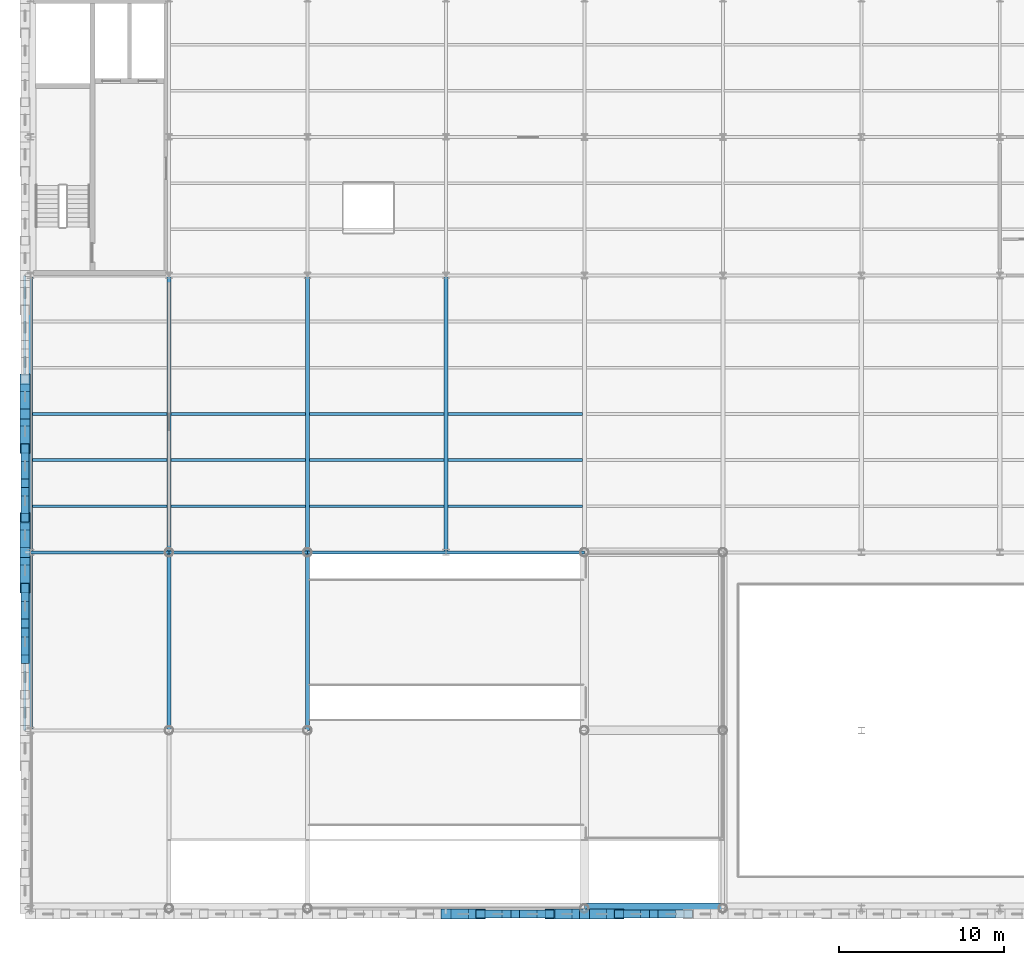
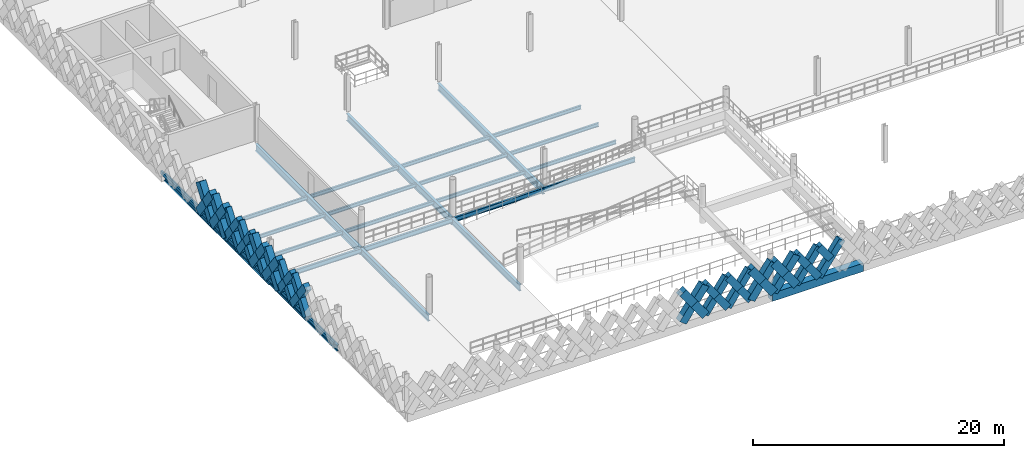
# One storey, part 19 of 79: 46 members, 24 beams.
"""IFC4 building model written with IfcOpenShell, lengths in metres."""

from ifc_helpers import new_model, si_unit, direction, frame, origin, origin_2d, place, context, subcontext, project, spatial, rectangle, hollow_rectangle, i_section, extrude, material, material_profile, profile_set, type_object, element, save


model = new_model("IFC4")

# Units and contexts
model_context = context("Model", 3, precision=1e-05, world=origin(), true_north=direction((0.0, 1.0)))
body_context = subcontext(model_context, "Body", "Model", "MODEL_VIEW")
ifc_project = project(units=[si_unit("LENGTHUNIT", "METRE"), si_unit("AREAUNIT", "SQUARE_METRE"), si_unit("VOLUMEUNIT", "CUBIC_METRE"), si_unit("PLANEANGLEUNIT", "RADIAN"), si_unit("MASSUNIT", "GRAM", prefix="KILO"), si_unit("THERMODYNAMICTEMPERATUREUNIT", "KELVIN"), si_unit("POWERUNIT", "WATT")], contexts=[model_context])

# Site, building, storey
site_placement = place(None, origin())
site = spatial("IfcSite", under=ifc_project, at=site_placement, CompositionType="ELEMENT")
building_placement = place(site_placement, origin())
building = spatial("IfcBuilding", under=site, at=building_placement, Name="Tembeka Court Mobility Hub", CompositionType="ELEMENT")
storey_placement = place(building_placement, frame((0.0, 0.0, 9.0)))
storey = spatial("IfcBuildingStorey", under=building, at=storey_placement, Name="L02", CompositionType="ELEMENT", Elevation=9.0)

# Beams
ifc_material_1 = material(Name="Steel S355", Category="steel")
ifc_material_profile_1 = material_profile(ifc_material_1, i_section(OverallWidth=0.18994140625, OverallDepth=0.45703125, WebThickness=0.009033203125, FlangeThickness=0.014404296875, FilletRadius=0.01025390625, at=origin_2d()), Name="UKB 457x191x74")
ifc_profile_set_1 = profile_set([ifc_material_profile_1], Name="Steel S355")
beam_type_1 = type_object("IfcBeamType", Name="BM-B01", PredefinedType="BEAM", material=ifc_profile_set_1)
beam_1_placement = place(storey_placement, frame((0.0, 21.60009765625, -0.478515625), z_axis=(1.0, 0.0, 0.0), x_axis=(0.0, 1.0, 0.0)))
element("IfcBeam", 1, at=beam_1_placement, inside=storey, type_object=beam_type_1, Name="Beam B01 (BM-L02-X1193)", PredefinedType="BEAM", context=body_context, shape_type="SweptSolid", body=[
    extrude(i_section(OverallWidth=0.18994140625, OverallDepth=0.45703125, WebThickness=0.009033203125, FlangeThickness=0.014404296875, FilletRadius=0.01025390625, at=origin_2d()), origin(), (0.0, 0.0, 1.0), 8.39990234375),
])
beam_2_placement = place(storey_placement, frame((8.39990234375, 21.60009765625, -0.478515625), z_axis=(1.0, 0.0, 0.0), x_axis=(0.0, 1.0, 0.0)))
element("IfcBeam", 2, at=beam_2_placement, inside=storey, type_object=beam_type_1, Name="Beam B01 (BM-L02-X1194)", PredefinedType="BEAM", context=body_context, shape_type="SweptSolid", body=[
    extrude(i_section(OverallWidth=0.18994140625, OverallDepth=0.45703125, WebThickness=0.009033203125, FlangeThickness=0.014404296875, FilletRadius=0.01025390625, at=origin_2d()), origin(), (0.0, 0.0, 1.0), 8.400146484375),
])
beam_3_placement = place(storey_placement, frame((16.800048828125, 21.60009765625, -0.478515625), z_axis=(1.0, 0.0, 0.0), x_axis=(0.0, 1.0, 0.0)))
element("IfcBeam", 3, at=beam_3_placement, inside=storey, type_object=beam_type_1, Name="Beam B01 (BM-L02-X1195)", PredefinedType="BEAM", context=body_context, shape_type="SweptSolid", body=[
    extrude(i_section(OverallWidth=0.18994140625, OverallDepth=0.45703125, WebThickness=0.009033203125, FlangeThickness=0.014404296875, FilletRadius=0.01025390625, at=origin_2d()), origin(), (0.0, 0.0, 1.0), 8.39990234375),
])
beam_4_placement = place(storey_placement, frame((25.199951171875, 21.60009765625, -0.448486328125), z_axis=(1.0, 0.0, 0.0), x_axis=(0.0, 1.0, 0.0)))
element("IfcBeam", 4, at=beam_4_placement, inside=storey, type_object=beam_type_1, Name="Beam B01 (BM-L02-X1196)", PredefinedType="BEAM", context=body_context, shape_type="SweptSolid", body=[
    extrude(i_section(OverallWidth=0.18994140625, OverallDepth=0.45703125, WebThickness=0.009033203125, FlangeThickness=0.014404296875, FilletRadius=0.01025390625, at=origin_2d()), origin(), (0.0, 0.0, 1.0), 8.400146484375),
])
ifc_material_profile_2 = material_profile(ifc_material_1, i_section(OverallWidth=0.25390625, OverallDepth=0.68408203125, WebThickness=0.012451171875, FlangeThickness=0.01904296875, FilletRadius=0.01513671875, at=origin_2d()), Name="UKB 686x254x140")
ifc_profile_set_2 = profile_set([ifc_material_profile_2], Name="Steel S355")
beam_type_2 = type_object("IfcBeamType", Name="BM-G01", PredefinedType="USERDEFINED", material=ifc_profile_set_2)
for number, where, z_axis, x_axis, name in (
    (5, (0.0, 21.60009765625, -0.56201171875), (0.0, 1.0, 0.0), (-1.0, 0.0, 0.0), "Beam G01 (BM-L02-Y1309)"),
    (6, (8.39990234375, 21.60009765625, -0.592041015625), (0.0, 1.0, 0.0), (-1.0, 0.0, 0.0), "Beam G01 (BM-L02-Y1320)"),
    (7, (16.800048828125, 21.60009765625, -0.592041015625), (0.0, 1.0, 0.0), (-1.0, 0.0, 0.0), "Beam G01 (BM-L02-Y1331)"),
    (8, (25.199951171875, 21.60009765625, -0.56201171875), (0.0, 1.0, 0.0), (-1.0, 0.0, 0.0), "Beam G01 (BM-L02-Y1340)"),
):
    element("IfcBeam", number, at=place(storey_placement, frame(where, z_axis=z_axis, x_axis=x_axis)), inside=storey, type_object=beam_type_2, Name=name, ObjectType="GIRDER", PredefinedType="USERDEFINED", context=body_context, shape_type="SweptSolid", body=[
        extrude(i_section(OverallWidth=0.25390625, OverallDepth=0.68408203125, WebThickness=0.012451171875, FlangeThickness=0.01904296875, FilletRadius=0.01513671875, at=origin_2d()), origin(), (0.0, 0.0, 1.0), 16.7998046875),
    ])
ifc_material_profile_3 = material_profile(ifc_material_1, i_section(OverallWidth=0.22900390625, OverallDepth=0.612060546875, WebThickness=0.011962890625, FlangeThickness=0.01953125, FilletRadius=0.0126953125, at=origin_2d()), Name="UKB 610x229x125")
ifc_profile_set_3 = profile_set([ifc_material_profile_3], Name="Steel S355")
beam_type_3 = type_object("IfcBeamType", Name="BM-G02", PredefinedType="USERDEFINED", material=ifc_profile_set_3)
for number, where, z_axis, x_axis, name in (
    (9, (0.0, 10.800048828125, -0.52587890625), (0.0, 1.0, 0.0), (-1.0, 0.0, 0.0), "Beam G02 (BM-L02-Y1308)"),
    (10, (8.39990234375, 10.800048828125, -0.555908203125), (0.0, 1.0, 0.0), (-1.0, 0.0, 0.0), "Beam G02 (BM-L02-Y1319)"),
    (11, (16.800048828125, 10.800048828125, -0.555908203125), (0.0, 1.0, 0.0), (-1.0, 0.0, 0.0), "Beam G02 (BM-L02-Y1330)"),
):
    element("IfcBeam", number, at=place(storey_placement, frame(where, z_axis=z_axis, x_axis=x_axis)), inside=storey, type_object=beam_type_3, Name=name, ObjectType="GIRDER", PredefinedType="USERDEFINED", context=body_context, shape_type="SweptSolid", body=[
        extrude(i_section(OverallWidth=0.22900390625, OverallDepth=0.612060546875, WebThickness=0.011962890625, FlangeThickness=0.01953125, FilletRadius=0.0126953125, at=origin_2d()), origin(), (0.0, 0.0, 1.0), 10.800048828125),
    ])
ifc_material_profile_4 = material_profile(ifc_material_1, i_section(OverallWidth=0.172119140625, OverallDepth=0.35498046875, WebThickness=0.00732421875, FlangeThickness=0.011474609375, FilletRadius=0.01025390625, at=origin_2d()), Name="UKB 356x171x51")
ifc_profile_set_4 = profile_set([ifc_material_profile_4], Name="Steel S355")
beam_type_4 = type_object("IfcBeamType", Name="BM-J01", PredefinedType="JOIST", material=ifc_profile_set_4)
for number, where, z_axis, x_axis, name in (
    (12, (0.1220703125, 24.39990234375, -0.3974609375), (1.0, 0.0, 0.0), (0.0, 1.0, 0.0), "Beam J01 (JST-L02-1439)"),
    (13, (0.1220703125, 27.199951171875, -0.3974609375), (1.0, 0.0, 0.0), (0.0, 1.0, 0.0), "Beam J01 (JST-L02-1440)"),
    (14, (0.1220703125, 30.0, -0.3974609375), (1.0, 0.0, 0.0), (0.0, 1.0, 0.0), "Beam J01 (JST-L02-1441)"),
    (15, (8.52197265625, 24.39990234375, -0.3974609375), (1.0, 0.0, 0.0), (0.0, 1.0, 0.0), "Beam J01 (JST-L02-1451)"),
    (16, (8.52197265625, 27.199951171875, -0.3974609375), (1.0, 0.0, 0.0), (0.0, 1.0, 0.0), "Beam J01 (JST-L02-1452)"),
    (17, (8.52197265625, 30.0, -0.3974609375), (1.0, 0.0, 0.0), (0.0, 1.0, 0.0), "Beam J01 (JST-L02-1453)"),
):
    element("IfcBeam", number, at=place(storey_placement, frame(where, z_axis=z_axis, x_axis=x_axis)), inside=storey, type_object=beam_type_4, Name=name, PredefinedType="JOIST", context=body_context, shape_type="SweptSolid", body=[
        extrude(i_section(OverallWidth=0.172119140625, OverallDepth=0.35498046875, WebThickness=0.00732421875, FlangeThickness=0.011474609375, FilletRadius=0.01025390625, at=origin_2d()), origin(), (0.0, 0.0, 1.0), 8.156005859375),
    ])
for number, where, z_axis, x_axis, name in (
    (18, (16.922119140625, 24.39990234375, -0.3974609375), (1.0, 0.0, 0.0), (0.0, 1.0, 0.0), "Beam J01 (JST-L02-1471)"),
    (19, (16.922119140625, 27.199951171875, -0.3974609375), (1.0, 0.0, 0.0), (0.0, 1.0, 0.0), "Beam J01 (JST-L02-1472)"),
    (20, (16.922119140625, 30.0, -0.3974609375), (1.0, 0.0, 0.0), (0.0, 1.0, 0.0), "Beam J01 (JST-L02-1473)"),
):
    element("IfcBeam", number, at=place(storey_placement, frame(where, z_axis=z_axis, x_axis=x_axis)), inside=storey, type_object=beam_type_4, Name=name, PredefinedType="JOIST", context=body_context, shape_type="SweptSolid", body=[
        extrude(i_section(OverallWidth=0.172119140625, OverallDepth=0.35498046875, WebThickness=0.00732421875, FlangeThickness=0.011474609375, FilletRadius=0.01025390625, at=origin_2d()), origin(), (0.0, 0.0, 1.0), 8.15576171875),
    ])
for number, where, z_axis, x_axis, name in (
    (21, (25.322021484375, 24.39990234375, -0.3974609375), (1.0, 0.0, 0.0), (0.0, 1.0, 0.0), "Beam J01 (JST-L02-1491)"),
    (22, (25.322021484375, 27.199951171875, -0.3974609375), (1.0, 0.0, 0.0), (0.0, 1.0, 0.0), "Beam J01 (JST-L02-1492)"),
    (23, (25.322021484375, 30.0, -0.3974609375), (1.0, 0.0, 0.0), (0.0, 1.0, 0.0), "Beam J01 (JST-L02-1493)"),
):
    element("IfcBeam", number, at=place(storey_placement, frame(where, z_axis=z_axis, x_axis=x_axis)), inside=storey, type_object=beam_type_4, Name=name, PredefinedType="JOIST", context=body_context, shape_type="SweptSolid", body=[
        extrude(i_section(OverallWidth=0.172119140625, OverallDepth=0.35498046875, WebThickness=0.00732421875, FlangeThickness=0.011474609375, FilletRadius=0.01025390625, at=origin_2d()), origin(), (0.0, 0.0, 1.0), 8.156005859375),
    ])
ifc_material_2 = material(Name="Precast concrete C45/55", Category="concrete")
ifc_material_profile_5 = material_profile(ifc_material_2, rectangle(XDim=0.64990234375, YDim=0.800048828125, at=origin_2d()), Name="PC-SP 650x800")
ifc_profile_set_5 = profile_set([ifc_material_profile_5], Name="Precast concrete C45/55")
beam_type_5 = type_object("IfcBeamType", Name="BM-SP01", PredefinedType="SPANDREL", material=ifc_profile_set_5)
beam_5_placement = place(storey_placement, frame((33.60009765625, 0.0, -0.6201171875), z_axis=(1.0, 0.0, 0.0), x_axis=(0.0, 1.0, 0.0)))
element("IfcBeam", 24, at=beam_5_placement, inside=storey, type_object=beam_type_5, Name="Beam SP01 (BM-L02-X1173)", PredefinedType="SPANDREL", context=body_context, shape_type="SweptSolid", body=[
    extrude(rectangle(XDim=0.64990234375, YDim=0.800048828125, at=origin_2d()), origin(), (0.0, 0.0, 1.0), 8.39990234375),
])

# Members
ifc_material_profile_6 = material_profile(ifc_material_2, rectangle(XDim=0.5, YDim=0.64990234375, at=origin_2d()), Name="PC-DIAG 500x650")
ifc_profile_set_6 = profile_set([ifc_material_profile_6], Name="Precast concrete C45/55")
member_type_1 = type_object("IfcMemberType", Name="MEM-DL01", PredefinedType="BRACE", material=ifc_profile_set_6)
member_1_placement = place(storey_placement, frame((27.300048828125, -0.340087890625, 0.02001953125), z_axis=(0.58253161945, 0.0, 0.812808041509), x_axis=(0.0, 1.0, 0.0)))
element("IfcMember", 25, at=member_1_placement, inside=storey, type_object=member_type_1, Name="Precast diamond lattice continuous strand DL01 (L02-202A)", PredefinedType="BRACE", context=body_context, shape_type="SweptSolid", body=[
    extrude(rectangle(XDim=0.5, YDim=0.64990234375, at=origin_2d()), origin(), (0.0, 0.0, 1.0), 3.604736328125),
])
member_2_placement = place(storey_placement, frame((29.39990234375, -0.340087890625, 0.02001953125), z_axis=(-0.582454804382, 0.0, 0.812863088627), x_axis=(0.0, -1.0, 0.0)))
element("IfcMember", 26, at=member_2_placement, inside=storey, type_object=member_type_1, Name="Precast diamond lattice split lower strand DL01 (L02-202B1)", PredefinedType="BRACE", context=body_context, shape_type="SweptSolid", body=[
    extrude(rectangle(XDim=0.5, YDim=0.64990234375, at=origin_2d()), origin(), (0.0, 0.0, 1.0), 1.802490234375),
])
member_3_placement = place(storey_placement, frame((28.35009765625, -0.340087890625, 1.485107421875), z_axis=(-0.582608431711, 0.0, 0.812752985414), x_axis=(0.0, -1.0, 0.0)))
element("IfcMember", 27, at=member_3_placement, inside=storey, type_object=member_type_1, Name="Precast diamond lattice split upper strand DL01 (L02-202B2)", PredefinedType="BRACE", context=body_context, shape_type="SweptSolid", body=[
    extrude(rectangle(XDim=0.5, YDim=0.64990234375, at=origin_2d()), origin(), (0.0, 0.0, 1.0), 1.80224609375),
])
member_4_placement = place(storey_placement, frame((29.39990234375, -0.340087890625, 0.02001953125), z_axis=(0.582576362011, 0.0, 0.812775973086), x_axis=(0.0, 1.0, 0.0)))
element("IfcMember", 28, at=member_4_placement, inside=storey, type_object=member_type_1, Name="Precast diamond lattice continuous strand DL01 (L02-203A)", PredefinedType="BRACE", context=body_context, shape_type="SweptSolid", body=[
    extrude(rectangle(XDim=0.5, YDim=0.64990234375, at=origin_2d()), origin(), (0.0, 0.0, 1.0), 3.604736328125),
])
member_5_placement = place(storey_placement, frame((31.5, -0.340087890625, 0.02001953125), z_axis=(-0.582544294934, 0.0, 0.812798956963), x_axis=(0.0, -1.0, 0.0)))
element("IfcMember", 29, at=member_5_placement, inside=storey, type_object=member_type_1, Name="Precast diamond lattice split lower strand DL01 (L02-203B1)", PredefinedType="BRACE", context=body_context, shape_type="SweptSolid", body=[
    extrude(rectangle(XDim=0.5, YDim=0.64990234375, at=origin_2d()), origin(), (0.0, 0.0, 1.0), 1.802490234375),
])
member_6_placement = place(storey_placement, frame((30.449951171875, -0.340087890625, 1.485107421875), z_axis=(-0.582608431711, 0.0, 0.812752985414), x_axis=(0.0, -1.0, 0.0)))
element("IfcMember", 30, at=member_6_placement, inside=storey, type_object=member_type_1, Name="Precast diamond lattice split upper strand DL01 (L02-203B2)", PredefinedType="BRACE", context=body_context, shape_type="SweptSolid", body=[
    extrude(rectangle(XDim=0.5, YDim=0.64990234375, at=origin_2d()), origin(), (0.0, 0.0, 1.0), 1.80224609375),
])
member_7_placement = place(storey_placement, frame((35.699951171875, -0.340087890625, 0.02001953125), z_axis=(0.582576362011, 0.0, 0.812775973086), x_axis=(0.0, 1.0, 0.0)))
element("IfcMember", 31, at=member_7_placement, inside=storey, type_object=member_type_1, Name="Precast diamond lattice continuous strand DL01 (L02-206A)", PredefinedType="BRACE", context=body_context, shape_type="SweptSolid", body=[
    extrude(rectangle(XDim=0.5, YDim=0.64990234375, at=origin_2d()), origin(), (0.0, 0.0, 1.0), 3.604736328125),
])
member_8_placement = place(storey_placement, frame((37.800048828125, -0.340087890625, 0.02001953125), z_axis=(-0.582544294934, 0.0, 0.812798956963), x_axis=(0.0, -1.0, 0.0)))
element("IfcMember", 32, at=member_8_placement, inside=storey, type_object=member_type_1, Name="Precast diamond lattice split lower strand DL01 (L02-206B1)", PredefinedType="BRACE", context=body_context, shape_type="SweptSolid", body=[
    extrude(rectangle(XDim=0.5, YDim=0.64990234375, at=origin_2d()), origin(), (0.0, 0.0, 1.0), 1.802490234375),
])
member_9_placement = place(storey_placement, frame((36.75, -0.340087890625, 1.485107421875), z_axis=(-0.582608431711, 0.0, 0.812752985414), x_axis=(0.0, -1.0, 0.0)))
element("IfcMember", 33, at=member_9_placement, inside=storey, type_object=member_type_1, Name="Precast diamond lattice split upper strand DL01 (L02-206B2)", PredefinedType="BRACE", context=body_context, shape_type="SweptSolid", body=[
    extrude(rectangle(XDim=0.5, YDim=0.64990234375, at=origin_2d()), origin(), (0.0, 0.0, 1.0), 1.80224609375),
])
member_10_placement = place(storey_placement, frame((37.800048828125, -0.340087890625, 0.02001953125), z_axis=(0.58253161945, 0.0, 0.812808041509), x_axis=(0.0, 1.0, 0.0)))
element("IfcMember", 34, at=member_10_placement, inside=storey, type_object=member_type_1, Name="Precast diamond lattice continuous strand DL01 (L02-207A)", PredefinedType="BRACE", context=body_context, shape_type="SweptSolid", body=[
    extrude(rectangle(XDim=0.5, YDim=0.64990234375, at=origin_2d()), origin(), (0.0, 0.0, 1.0), 3.604736328125),
])
member_11_placement = place(storey_placement, frame((38.85009765625, -0.340087890625, 1.485107421875), z_axis=(-0.582608431711, 0.0, 0.812752985414), x_axis=(0.0, -1.0, 0.0)))
element("IfcMember", 35, at=member_11_placement, inside=storey, type_object=member_type_1, Name="Precast diamond lattice split upper strand DL01 (L02-207B2)", PredefinedType="BRACE", context=body_context, shape_type="SweptSolid", body=[
    extrude(rectangle(XDim=0.5, YDim=0.64990234375, at=origin_2d()), origin(), (0.0, 0.0, 1.0), 1.80224609375),
])
member_12_placement = place(storey_placement, frame((-0.340087890625, 15.1201171875, 0.02001953125), z_axis=(0.0, 0.593379766398, 0.804922637792), x_axis=(-1.0, 0.0, 0.0)))
element("IfcMember", 36, at=member_12_placement, inside=storey, type_object=member_type_1, Name="Precast diamond lattice continuous strand DL01 (L02-284C)", PredefinedType="BRACE", context=body_context, shape_type="SweptSolid", body=[
    extrude(rectangle(XDim=0.5, YDim=0.64990234375, at=origin_2d()), origin(), (0.0, 0.0, 1.0), 3.64013671875),
])
member_13_placement = place(storey_placement, frame((-0.340087890625, 17.280029296875, 0.02001953125), z_axis=(0.0, -0.593391185876, 0.804914219358), x_axis=(1.0, 0.0, 0.0)))
element("IfcMember", 37, at=member_13_placement, inside=storey, type_object=member_type_1, Name="Precast diamond lattice split lower strand DL01 (L02-284D1)", PredefinedType="BRACE", context=body_context, shape_type="SweptSolid", body=[
    extrude(rectangle(XDim=0.5, YDim=0.64990234375, at=origin_2d()), origin(), (0.0, 0.0, 1.0), 1.820068359375),
])
member_14_placement = place(storey_placement, frame((-0.340087890625, 16.199951171875, 1.485107421875), z_axis=(0.0, -0.593368344659, 0.804931057642), x_axis=(1.0, 0.0, 0.0)))
element("IfcMember", 38, at=member_14_placement, inside=storey, type_object=member_type_1, Name="Precast diamond lattice split upper strand DL01 (L02-284D2)", PredefinedType="BRACE", context=body_context, shape_type="SweptSolid", body=[
    extrude(rectangle(XDim=0.5, YDim=0.64990234375, at=origin_2d()), origin(), (0.0, 0.0, 1.0), 1.81982421875),
])
member_15_placement = place(storey_placement, frame((-0.340087890625, 17.280029296875, 0.02001953125), z_axis=(0.0, 0.593379766398, 0.804922637792), x_axis=(-1.0, 0.0, 0.0)))
element("IfcMember", 39, at=member_15_placement, inside=storey, type_object=member_type_1, Name="Precast diamond lattice continuous strand DL01 (L02-285C)", PredefinedType="BRACE", context=body_context, shape_type="SweptSolid", body=[
    extrude(rectangle(XDim=0.5, YDim=0.64990234375, at=origin_2d()), origin(), (0.0, 0.0, 1.0), 3.64013671875),
])
for number, where, z_axis, x_axis, name in (
    (40, (-0.340087890625, 19.43994140625, 0.02001953125), (0.0, -0.593304274421, 0.804978284151), (1.0, 0.0, 0.0), "Precast diamond lattice split lower strand DL01 (L02-285D1)"),
    (41, (-0.340087890625, 18.360107421875, 1.485107421875), (0.0, -0.593455255298, 0.804866982773), (1.0, 0.0, 0.0), "Precast diamond lattice split upper strand DL01 (L02-285D2)"),
):
    element("IfcMember", number, at=place(storey_placement, frame(where, z_axis=z_axis, x_axis=x_axis)), inside=storey, type_object=member_type_1, Name=name, PredefinedType="BRACE", context=body_context, shape_type="SweptSolid", body=[
        extrude(rectangle(XDim=0.5, YDim=0.64990234375, at=origin_2d()), origin(), (0.0, 0.0, 1.0), 1.820068359375),
    ])
member_16_placement = place(storey_placement, frame((-0.340087890625, 23.699951171875, 0.02001953125), z_axis=(0.0, 0.582576362011, 0.812775973086), x_axis=(-1.0, 0.0, 0.0)))
element("IfcMember", 42, at=member_16_placement, inside=storey, type_object=member_type_1, Name="Precast diamond lattice continuous strand DL01 (L02-288C)", PredefinedType="BRACE", context=body_context, shape_type="SweptSolid", body=[
    extrude(rectangle(XDim=0.5, YDim=0.64990234375, at=origin_2d()), origin(), (0.0, 0.0, 1.0), 3.604736328125),
])
member_17_placement = place(storey_placement, frame((-0.340087890625, 25.800048828125, 0.02001953125), z_axis=(0.0, -0.582544294934, 0.812798956963), x_axis=(1.0, 0.0, 0.0)))
element("IfcMember", 43, at=member_17_placement, inside=storey, type_object=member_type_1, Name="Precast diamond lattice split lower strand DL01 (L02-288D1)", PredefinedType="BRACE", context=body_context, shape_type="SweptSolid", body=[
    extrude(rectangle(XDim=0.5, YDim=0.64990234375, at=origin_2d()), origin(), (0.0, 0.0, 1.0), 1.802490234375),
])
member_18_placement = place(storey_placement, frame((-0.340087890625, 24.75, 1.485107421875), z_axis=(0.0, -0.582608431711, 0.812752985414), x_axis=(1.0, 0.0, 0.0)))
element("IfcMember", 44, at=member_18_placement, inside=storey, type_object=member_type_1, Name="Precast diamond lattice split upper strand DL01 (L02-288D2)", PredefinedType="BRACE", context=body_context, shape_type="SweptSolid", body=[
    extrude(rectangle(XDim=0.5, YDim=0.64990234375, at=origin_2d()), origin(), (0.0, 0.0, 1.0), 1.80224609375),
])
member_19_placement = place(storey_placement, frame((-0.340087890625, 25.800048828125, 0.02001953125), z_axis=(0.0, 0.58253161945, 0.812808041509), x_axis=(-1.0, 0.0, 0.0)))
element("IfcMember", 45, at=member_19_placement, inside=storey, type_object=member_type_1, Name="Precast diamond lattice continuous strand DL01 (L02-289C)", PredefinedType="BRACE", context=body_context, shape_type="SweptSolid", body=[
    extrude(rectangle(XDim=0.5, YDim=0.64990234375, at=origin_2d()), origin(), (0.0, 0.0, 1.0), 3.604736328125),
])
member_20_placement = place(storey_placement, frame((-0.340087890625, 27.89990234375, 0.02001953125), z_axis=(0.0, -0.582454804382, 0.812863088627), x_axis=(1.0, 0.0, 0.0)))
element("IfcMember", 46, at=member_20_placement, inside=storey, type_object=member_type_1, Name="Precast diamond lattice split lower strand DL01 (L02-289D1)", PredefinedType="BRACE", context=body_context, shape_type="SweptSolid", body=[
    extrude(rectangle(XDim=0.5, YDim=0.64990234375, at=origin_2d()), origin(), (0.0, 0.0, 1.0), 1.802490234375),
])
member_21_placement = place(storey_placement, frame((-0.340087890625, 26.85009765625, 1.485107421875), z_axis=(0.0, -0.582608431711, 0.812752985414), x_axis=(1.0, 0.0, 0.0)))
element("IfcMember", 47, at=member_21_placement, inside=storey, type_object=member_type_1, Name="Precast diamond lattice split upper strand DL01 (L02-289D2)", PredefinedType="BRACE", context=body_context, shape_type="SweptSolid", body=[
    extrude(rectangle(XDim=0.5, YDim=0.64990234375, at=origin_2d()), origin(), (0.0, 0.0, 1.0), 1.80224609375),
])
ifc_material_profile_7 = material_profile(ifc_material_2, rectangle(XDim=0.60009765625, YDim=0.75, at=origin_2d()), Name="PC-DIAG 600x750")
ifc_profile_set_7 = profile_set([ifc_material_profile_7], Name="Precast concrete C45/55")
member_type_2 = type_object("IfcMemberType", Name="MEM-DL02", PredefinedType="BRACE", material=ifc_profile_set_7)
member_22_placement = place(storey_placement, frame((25.199951171875, -0.340087890625, 0.02001953125), z_axis=(0.582576362011, 0.0, 0.812775973086), x_axis=(0.0, 1.0, 0.0)))
element("IfcMember", 48, at=member_22_placement, inside=storey, type_object=member_type_2, Name="Precast diamond lattice continuous strand DL02 (L02-201A)", PredefinedType="BRACE", context=body_context, shape_type="SweptSolid", body=[
    extrude(rectangle(XDim=0.60009765625, YDim=0.75, at=origin_2d()), origin(), (0.0, 0.0, 1.0), 3.604736328125),
])
member_23_placement = place(storey_placement, frame((27.300048828125, -0.340087890625, 0.02001953125), z_axis=(-0.582544294934, 0.0, 0.812798956963), x_axis=(0.0, -1.0, 0.0)))
element("IfcMember", 49, at=member_23_placement, inside=storey, type_object=member_type_2, Name="Precast diamond lattice split lower strand DL02 (L02-201B1)", PredefinedType="BRACE", context=body_context, shape_type="SweptSolid", body=[
    extrude(rectangle(XDim=0.60009765625, YDim=0.75, at=origin_2d()), origin(), (0.0, 0.0, 1.0), 1.802490234375),
])
member_24_placement = place(storey_placement, frame((26.25, -0.340087890625, 1.485107421875), z_axis=(-0.582608431711, 0.0, 0.812752985414), x_axis=(0.0, -1.0, 0.0)))
element("IfcMember", 50, at=member_24_placement, inside=storey, type_object=member_type_2, Name="Precast diamond lattice split upper strand DL02 (L02-201B2)", PredefinedType="BRACE", context=body_context, shape_type="SweptSolid", body=[
    extrude(rectangle(XDim=0.60009765625, YDim=0.75, at=origin_2d()), origin(), (0.0, 0.0, 1.0), 1.80224609375),
])
member_25_placement = place(storey_placement, frame((31.5, -0.340087890625, 0.02001953125), z_axis=(0.582576362011, 0.0, 0.812775973086), x_axis=(0.0, 1.0, 0.0)))
element("IfcMember", 51, at=member_25_placement, inside=storey, type_object=member_type_2, Name="Precast diamond lattice continuous strand DL02 (L02-204A)", PredefinedType="BRACE", context=body_context, shape_type="SweptSolid", body=[
    extrude(rectangle(XDim=0.60009765625, YDim=0.75, at=origin_2d()), origin(), (0.0, 0.0, 1.0), 3.604736328125),
])
member_26_placement = place(storey_placement, frame((33.60009765625, -0.340087890625, 0.02001953125), z_axis=(-0.582544294934, 0.0, 0.812798956963), x_axis=(0.0, -1.0, 0.0)))
element("IfcMember", 52, at=member_26_placement, inside=storey, type_object=member_type_2, Name="Precast diamond lattice split lower strand DL02 (L02-204B1)", PredefinedType="BRACE", context=body_context, shape_type="SweptSolid", body=[
    extrude(rectangle(XDim=0.60009765625, YDim=0.75, at=origin_2d()), origin(), (0.0, 0.0, 1.0), 1.802490234375),
])
member_27_placement = place(storey_placement, frame((32.550048828125, -0.340087890625, 1.485107421875), z_axis=(-0.582608431711, 0.0, 0.812752985414), x_axis=(0.0, -1.0, 0.0)))
element("IfcMember", 53, at=member_27_placement, inside=storey, type_object=member_type_2, Name="Precast diamond lattice split upper strand DL02 (L02-204B2)", PredefinedType="BRACE", context=body_context, shape_type="SweptSolid", body=[
    extrude(rectangle(XDim=0.60009765625, YDim=0.75, at=origin_2d()), origin(), (0.0, 0.0, 1.0), 1.80224609375),
])
member_28_placement = place(storey_placement, frame((33.60009765625, -0.340087890625, 0.02001953125), z_axis=(0.58253161945, 0.0, 0.812808041509), x_axis=(0.0, 1.0, 0.0)))
element("IfcMember", 54, at=member_28_placement, inside=storey, type_object=member_type_2, Name="Precast diamond lattice continuous strand DL02 (L02-205A)", PredefinedType="BRACE", context=body_context, shape_type="SweptSolid", body=[
    extrude(rectangle(XDim=0.60009765625, YDim=0.75, at=origin_2d()), origin(), (0.0, 0.0, 1.0), 3.604736328125),
])
member_29_placement = place(storey_placement, frame((35.699951171875, -0.340087890625, 0.02001953125), z_axis=(-0.582544294934, 0.0, 0.812798956963), x_axis=(0.0, -1.0, 0.0)))
element("IfcMember", 55, at=member_29_placement, inside=storey, type_object=member_type_2, Name="Precast diamond lattice split lower strand DL02 (L02-205B1)", PredefinedType="BRACE", context=body_context, shape_type="SweptSolid", body=[
    extrude(rectangle(XDim=0.60009765625, YDim=0.75, at=origin_2d()), origin(), (0.0, 0.0, 1.0), 1.802490234375),
])
member_30_placement = place(storey_placement, frame((34.64990234375, -0.340087890625, 1.485107421875), z_axis=(-0.582518941428, 0.0, 0.812817127574), x_axis=(0.0, -1.0, 0.0)))
element("IfcMember", 56, at=member_30_placement, inside=storey, type_object=member_type_2, Name="Precast diamond lattice split upper strand DL02 (L02-205B2)", PredefinedType="BRACE", context=body_context, shape_type="SweptSolid", body=[
    extrude(rectangle(XDim=0.60009765625, YDim=0.75, at=origin_2d()), origin(), (0.0, 0.0, 1.0), 1.80224609375),
])
member_31_placement = place(storey_placement, frame((-0.340087890625, 19.43994140625, 0.02001953125), z_axis=(0.0, 0.593423219328, 0.804890602978), x_axis=(-1.0, 0.0, 0.0)))
element("IfcMember", 57, at=member_31_placement, inside=storey, type_object=member_type_2, Name="Precast diamond lattice continuous strand DL02 (L02-286C)", PredefinedType="BRACE", context=body_context, shape_type="SweptSolid", body=[
    extrude(rectangle(XDim=0.60009765625, YDim=0.75, at=origin_2d()), origin(), (0.0, 0.0, 1.0), 3.64013671875),
])
for number, where, z_axis, x_axis, name in (
    (58, (-0.340087890625, 21.60009765625, 0.02001953125), (0.0, -0.593391185876, 0.804914219358), (1.0, 0.0, 0.0), "Precast diamond lattice split lower strand DL02 (L02-286D1)"),
    (59, (-0.340087890625, 20.52001953125, 1.485107421875), (0.0, -0.593455255298, 0.804866982773), (1.0, 0.0, 0.0), "Precast diamond lattice split upper strand DL02 (L02-286D2)"),
):
    element("IfcMember", number, at=place(storey_placement, frame(where, z_axis=z_axis, x_axis=x_axis)), inside=storey, type_object=member_type_2, Name=name, PredefinedType="BRACE", context=body_context, shape_type="SweptSolid", body=[
        extrude(rectangle(XDim=0.60009765625, YDim=0.75, at=origin_2d()), origin(), (0.0, 0.0, 1.0), 1.820068359375),
    ])
member_32_placement = place(storey_placement, frame((-0.340087890625, 21.60009765625, 0.02001953125), z_axis=(0.0, 0.58253161945, 0.812808041509), x_axis=(-1.0, 0.0, 0.0)))
element("IfcMember", 60, at=member_32_placement, inside=storey, type_object=member_type_2, Name="Precast diamond lattice continuous strand DL02 (L02-287C)", PredefinedType="BRACE", context=body_context, shape_type="SweptSolid", body=[
    extrude(rectangle(XDim=0.60009765625, YDim=0.75, at=origin_2d()), origin(), (0.0, 0.0, 1.0), 3.604736328125),
])
member_33_placement = place(storey_placement, frame((-0.340087890625, 23.699951171875, 0.02001953125), z_axis=(0.0, -0.582544294934, 0.812798956963), x_axis=(1.0, 0.0, 0.0)))
element("IfcMember", 61, at=member_33_placement, inside=storey, type_object=member_type_2, Name="Precast diamond lattice split lower strand DL02 (L02-287D1)", PredefinedType="BRACE", context=body_context, shape_type="SweptSolid", body=[
    extrude(rectangle(XDim=0.60009765625, YDim=0.75, at=origin_2d()), origin(), (0.0, 0.0, 1.0), 1.802490234375),
])
member_34_placement = place(storey_placement, frame((-0.340087890625, 22.64990234375, 1.485107421875), z_axis=(0.0, -0.582518941428, 0.812817127574), x_axis=(1.0, 0.0, 0.0)))
element("IfcMember", 62, at=member_34_placement, inside=storey, type_object=member_type_2, Name="Precast diamond lattice split upper strand DL02 (L02-287D2)", PredefinedType="BRACE", context=body_context, shape_type="SweptSolid", body=[
    extrude(rectangle(XDim=0.60009765625, YDim=0.75, at=origin_2d()), origin(), (0.0, 0.0, 1.0), 1.80224609375),
])
member_35_placement = place(storey_placement, frame((-0.340087890625, 27.89990234375, 0.02001953125), z_axis=(0.0, 0.582576362011, 0.812775973086), x_axis=(-1.0, 0.0, 0.0)))
element("IfcMember", 63, at=member_35_placement, inside=storey, type_object=member_type_2, Name="Precast diamond lattice continuous strand DL02 (L02-290C)", PredefinedType="BRACE", context=body_context, shape_type="SweptSolid", body=[
    extrude(rectangle(XDim=0.60009765625, YDim=0.75, at=origin_2d()), origin(), (0.0, 0.0, 1.0), 3.604736328125),
])
member_36_placement = place(storey_placement, frame((-0.340087890625, 30.0, 0.02001953125), z_axis=(0.0, -0.582544294934, 0.812798956963), x_axis=(1.0, 0.0, 0.0)))
element("IfcMember", 64, at=member_36_placement, inside=storey, type_object=member_type_2, Name="Precast diamond lattice split lower strand DL02 (L02-290D1)", PredefinedType="BRACE", context=body_context, shape_type="SweptSolid", body=[
    extrude(rectangle(XDim=0.60009765625, YDim=0.75, at=origin_2d()), origin(), (0.0, 0.0, 1.0), 1.802490234375),
])
member_37_placement = place(storey_placement, frame((-0.340087890625, 28.949951171875, 1.485107421875), z_axis=(0.0, -0.582608431711, 0.812752985414), x_axis=(1.0, 0.0, 0.0)))
element("IfcMember", 65, at=member_37_placement, inside=storey, type_object=member_type_2, Name="Precast diamond lattice split upper strand DL02 (L02-290D2)", PredefinedType="BRACE", context=body_context, shape_type="SweptSolid", body=[
    extrude(rectangle(XDim=0.60009765625, YDim=0.75, at=origin_2d()), origin(), (0.0, 0.0, 1.0), 1.80224609375),
])
member_38_placement = place(storey_placement, frame((-0.340087890625, 30.0, 0.02001953125), z_axis=(0.0, 0.582576362011, 0.812775973086), x_axis=(-1.0, 0.0, 0.0)))
element("IfcMember", 66, at=member_38_placement, inside=storey, type_object=member_type_2, Name="Precast diamond lattice continuous strand DL02 (L02-291C)", PredefinedType="BRACE", context=body_context, shape_type="SweptSolid", body=[
    extrude(rectangle(XDim=0.60009765625, YDim=0.75, at=origin_2d()), origin(), (0.0, 0.0, 1.0), 3.604736328125),
])
member_39_placement = place(storey_placement, frame((-0.340087890625, 32.10009765625, 0.02001953125), z_axis=(0.0, -0.582544294934, 0.812798956963), x_axis=(1.0, 0.0, 0.0)))
element("IfcMember", 67, at=member_39_placement, inside=storey, type_object=member_type_2, Name="Precast diamond lattice split lower strand DL02 (L02-291D1)", PredefinedType="BRACE", context=body_context, shape_type="SweptSolid", body=[
    extrude(rectangle(XDim=0.60009765625, YDim=0.75, at=origin_2d()), origin(), (0.0, 0.0, 1.0), 1.802490234375),
])
member_40_placement = place(storey_placement, frame((-0.340087890625, 31.050048828125, 1.485107421875), z_axis=(0.0, -0.582608431711, 0.812752985414), x_axis=(1.0, 0.0, 0.0)))
element("IfcMember", 68, at=member_40_placement, inside=storey, type_object=member_type_2, Name="Precast diamond lattice split upper strand DL02 (L02-291D2)", PredefinedType="BRACE", context=body_context, shape_type="SweptSolid", body=[
    extrude(rectangle(XDim=0.60009765625, YDim=0.75, at=origin_2d()), origin(), (0.0, 0.0, 1.0), 1.80224609375),
])
ifc_material_profile_8 = material_profile(ifc_material_1, hollow_rectangle(XDim=0.14990234375, YDim=0.300048828125, WallThickness=0.010009765625, at=origin_2d()), Name="RHS 300x150x10")
ifc_profile_set_8 = profile_set([ifc_material_profile_8], Name="Steel S355")
member_type_3 = type_object("IfcMemberType", Name="MEM-ST03", PredefinedType="STRUT", material=ifc_profile_set_8)
member_41_placement = place(storey_placement, frame((-0.340087890625, 10.800048828125, 0.02001953125), z_axis=(0.0, 1.0, 0.0), x_axis=(-1.0, 0.0, 0.0)))
element("IfcMember", 69, at=member_41_placement, inside=storey, type_object=member_type_3, Name="Proud lattice sill tie chord SR03 (L02-W-10)", PredefinedType="STRUT", context=body_context, shape_type="SweptSolid", body=[
    extrude(hollow_rectangle(XDim=0.14990234375, YDim=0.300048828125, WallThickness=0.010009765625, at=origin_2d()), origin(), (0.0, 0.0, 1.0), 10.800048828125),
])
member_42_placement = place(storey_placement, frame((-0.340087890625, 21.60009765625, 0.02001953125), z_axis=(0.0, 1.0, 0.0), x_axis=(-1.0, 0.0, 0.0)))
element("IfcMember", 70, at=member_42_placement, inside=storey, type_object=member_type_3, Name="Proud lattice sill tie chord SR03 (L02-W-21)", PredefinedType="STRUT", context=body_context, shape_type="SweptSolid", body=[
    extrude(hollow_rectangle(XDim=0.14990234375, YDim=0.300048828125, WallThickness=0.010009765625, at=origin_2d()), origin(), (0.0, 0.0, 1.0), 16.7998046875),
])

save(model, "model.ifc")
